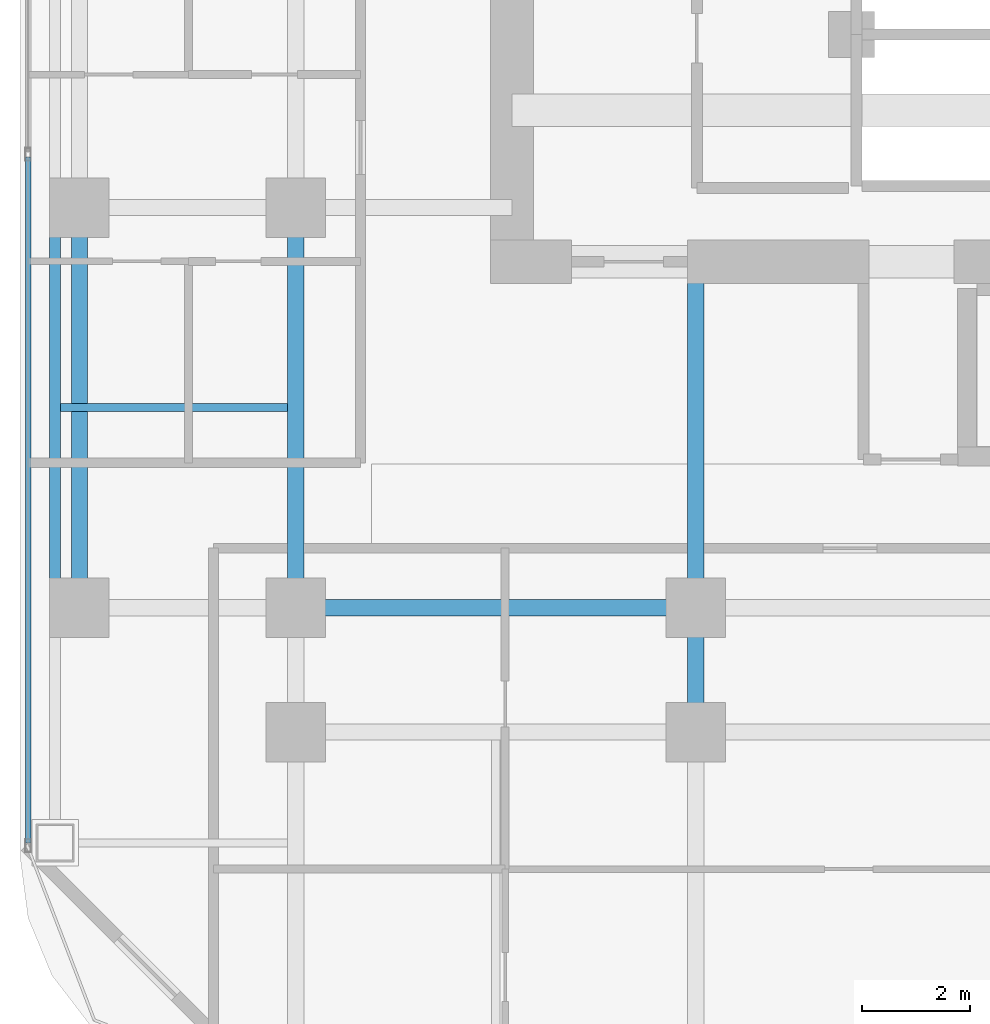
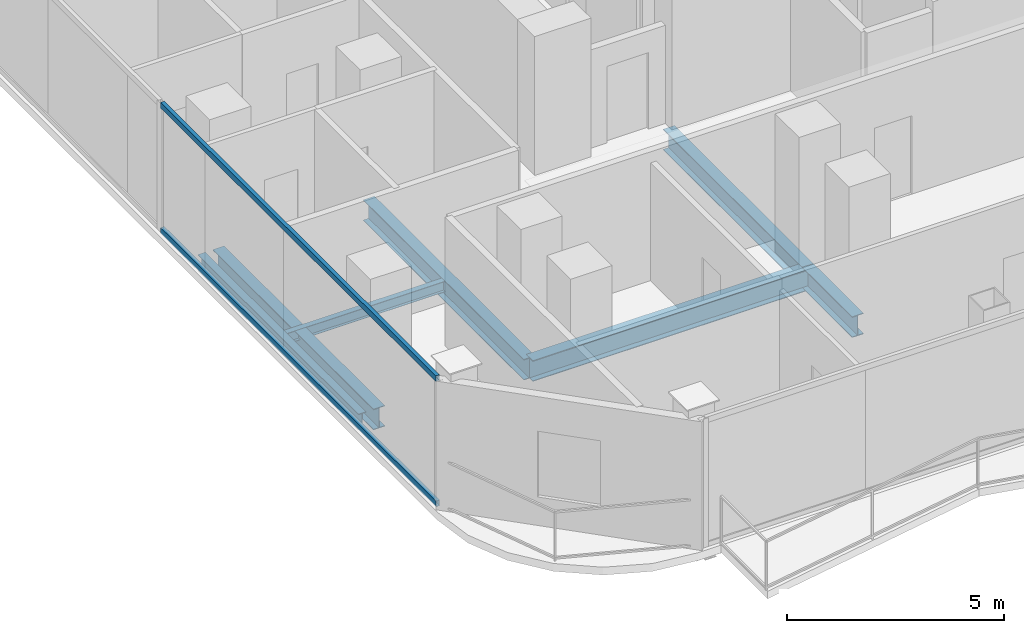
# One storey, part 3 of 27: 7 beams, 2 members, 1 element without a shape of its own.
"""IFC4 building model written with IfcOpenShell, lengths in metres."""

import ifcopenshell
import ifcopenshell.guid

model = None  # the IFC model being written
_history = None  # IfcOwnerHistory: only IFC2X3 demands one
_inside = {}  # id of a spatial element -> (the spatial element, [elements in it])
_under = {}  # id of a project, library or spatial element -> (it, [spatial elements below it])
_declared = {}  # id of a project -> (the project, [libraries it declares])
_typed = {}  # id of a type object -> (the type object, [elements of that type])
_made_of = {}  # id of a material, layer set ... -> (it, [elements and type objects made of it])


def new_model(schema):
    """Start an empty IFC model of exactly this schema.

    Asked for "IFC4X3", IfcOpenShell would pick the latest addendum, in which some entities
    have other attributes; the version numbers below select the first issue.
    IFC2X3 requires an IfcOwnerHistory on every rooted entity: one is made here for all.
    """
    global model, _history
    if schema == "IFC4X3":
        model = ifcopenshell.file(schema_version=(4, 3, 0, 0))
    else:
        model = ifcopenshell.file(schema=schema)
    _inside.clear()
    _under.clear()
    _declared.clear()
    _typed.clear()
    _made_of.clear()
    _history = None
    if model.schema == "IFC2X3":
        org = make("IfcOrganization", Name="unknown")
        user = make(
            "IfcPersonAndOrganization",
            ThePerson=make("IfcPerson", FamilyName="unknown"),
            TheOrganization=org,
        )
        app = make(
            "IfcApplication",
            ApplicationDeveloper=org,
            Version="unknown",
            ApplicationFullName="unknown",
            ApplicationIdentifier="unknown",
        )
        _history = make(
            "IfcOwnerHistory",
            OwningUser=user,
            OwningApplication=app,
            ChangeAction="ADDED",
            CreationDate=0,
        )
    return model


def make(cls, **values):
    """One entity of the class cls with the attributes given. An attribute that is None is left unset."""
    return model.create_entity(
        cls, **{name: value for name, value in values.items() if value is not None}
    )


def rooted(cls, **values):
    """An entity with a GlobalId (a new one), such as an element, a storey or a relation."""
    return make(cls, GlobalId=ifcopenshell.guid.new(), OwnerHistory=_history, **values)


def si_unit(unit_type, name, prefix=None):
    """IfcSIUnit, for example si_unit("LENGTHUNIT", "METRE", prefix="MILLI")."""
    return make("IfcSIUnit", UnitType=unit_type, Prefix=prefix, Name=name)


def assignment(units):
    """IfcUnitAssignment: the units of a project."""
    return None if units is None else make("IfcUnitAssignment", Units=units)


def point(xyz):
    """IfcCartesianPoint."""
    return None if xyz is None else make("IfcCartesianPoint", Coordinates=xyz)


def direction(xyz):
    """IfcDirection."""
    return None if xyz is None else make("IfcDirection", DirectionRatios=xyz)


def frame(location, z_axis=None, x_axis=None):
    """IfcAxis2Placement3D, a coordinate frame: its origin and axes. An axis left out is left unset."""
    return make(
        "IfcAxis2Placement3D",
        Location=point(location),
        Axis=direction(z_axis),
        RefDirection=direction(x_axis),
    )


def frame_2d(location, x_axis=None):
    """IfcAxis2Placement2D, a coordinate frame in the plane: its origin and x axis."""
    return make(
        "IfcAxis2Placement2D", Location=point(location), RefDirection=direction(x_axis)
    )


def origin():
    """The frame at (0, 0, 0) with its axes left unset."""
    return frame((0.0, 0.0, 0.0))


def origin_2d():
    """The frame at (0, 0) in the plane with its x axis left unset."""
    return frame_2d((0.0, 0.0))


def place(relative_to, where):
    """IfcLocalPlacement: puts the frame where relative to a parent placement (None: the world)."""
    return make(
        "IfcLocalPlacement", PlacementRelTo=relative_to, RelativePlacement=where
    )


def context(
    kind, dimensions, precision=None, world=None, true_north=None, identifier=None
):
    """IfcGeometricRepresentationContext, for example the 3D "Model" context."""
    return make(
        "IfcGeometricRepresentationContext",
        ContextIdentifier=identifier,
        ContextType=kind,
        CoordinateSpaceDimension=dimensions,
        Precision=precision,
        WorldCoordinateSystem=world,
        TrueNorth=true_north,
    )


def subcontext(parent, identifier, kind, view, scale=None):
    """IfcGeometricRepresentationSubContext, for example "Body" below "Model"."""
    return make(
        "IfcGeometricRepresentationSubContext",
        ContextIdentifier=identifier,
        ContextType=kind,
        ParentContext=parent,
        TargetScale=scale,
        TargetView=view,
    )


def project(units=None, contexts=None):
    """IfcProject with its units and contexts."""
    return rooted(
        "IfcProject",
        Name="project",
        RepresentationContexts=contexts,
        UnitsInContext=assignment(units),
    )


def spatial(cls, under=None, at=None, **own):
    """A site, building, storey or space (cls), placed at a placement, below another one or the project."""
    s = rooted(cls, ObjectPlacement=at, **own)
    if under is not None:
        _under.setdefault(under.id(), (under, []))[1].append(s)
    return s


def profile(cls, at=None, kind="AREA", **sizes):
    """A parametric profile (cls). Its sizes go by their IFC names, for example OverallWidth=200.0."""
    return make(cls, ProfileType=kind, Position=at, **sizes)


def hollow_rectangle(**sizes):
    """IfcRectangleHollowProfileDef."""
    return profile("IfcRectangleHollowProfileDef", **sizes)


def i_section(**sizes):
    """IfcIShapeProfileDef."""
    return profile("IfcIShapeProfileDef", **sizes)


def extrude(swept, where, along, depth):
    """IfcExtrudedAreaSolid: the profile swept, set in the frame where, extruded along a direction by depth."""
    return make(
        "IfcExtrudedAreaSolid",
        SweptArea=swept,
        Position=where,
        ExtrudedDirection=direction(along),
        Depth=depth,
    )


def shape(context_of_items, identifier, shape_type, items):
    """IfcShapeRepresentation: the items that make up one representation, for example the "Body"."""
    return make(
        "IfcShapeRepresentation",
        ContextOfItems=context_of_items,
        RepresentationIdentifier=identifier,
        RepresentationType=shape_type,
        Items=items,
    )


def material(Name=None, Category=None):
    """IfcMaterial."""
    return make("IfcMaterial", Name=Name, Category=Category)


def layer(
    of_material, thickness, ventilated=None, Name=None, Category=None, Priority=None
):
    """IfcMaterialLayer: one layer of a wall or slab, of a material (None: an air gap)."""
    return make(
        "IfcMaterialLayer",
        Material=of_material,
        LayerThickness=thickness,
        IsVentilated=ventilated,
        Name=Name,
        Category=Category,
        Priority=Priority,
    )


def layer_set(layers, Name=None):
    """IfcMaterialLayerSet."""
    return make("IfcMaterialLayerSet", MaterialLayers=layers, LayerSetName=Name)


def material_profile(
    of_material, cross_section, Name=None, Category=None, Priority=None
):
    """IfcMaterialProfile: a cross section and its material."""
    return make(
        "IfcMaterialProfile",
        Name=Name,
        Material=of_material,
        Profile=cross_section,
        Priority=Priority,
        Category=Category,
    )


def profile_set(profiles, Name=None, composite=None):
    """IfcMaterialProfileSet."""
    return make(
        "IfcMaterialProfileSet",
        Name=Name,
        MaterialProfiles=profiles,
        CompositeProfile=composite,
    )


def made_of(thing, what):
    """Note that an element or type object is made of a material, layer set ...; save() writes the relation."""
    if what is not None:
        _made_of.setdefault(what.id(), (what, []))[1].append(thing)
    return thing


def type_object(cls, material=None, **own):
    """A type object (cls), such as IfcWallType, which elements share."""
    return made_of(rooted(cls, **own), material)


def element(
    cls,
    number,
    at=None,
    inside=None,
    cuts=None,
    type_object=None,
    material=None,
    context=None,
    identifier="Body",
    shape_type=None,
    held_by="IfcProductDefinitionShape",
    body=None,
    shapes=None,
    **own,
):
    """One element of the class cls, such as IfcWall. Its Tag is "e" and its number.

    at: its placement. inside: the storey or other place that contains it. cuts: it is an
    opening in that element (IfcRelVoidsElement). A single representation is given by context,
    identifier, shape_type and body (its items); several are given by shapes. held_by: the class
    of the entity that holds the representations. save() writes the other relations.
    """
    e = rooted(cls, Tag="e%d" % number, ObjectPlacement=at, **own)
    if body is not None:
        shapes = [shape(context, identifier, shape_type, body)]
    if shapes is not None:
        e.Representation = make(held_by, Representations=shapes)
    if inside is not None:
        _inside.setdefault(inside.id(), (inside, []))[1].append(e)
    if cuts is not None:
        rooted(
            "IfcRelVoidsElement", RelatingBuildingElement=cuts, RelatedOpeningElement=e
        )
    if type_object is not None:
        _typed.setdefault(type_object.id(), (type_object, []))[1].append(e)
    return made_of(e, material)


def aggregate(whole, parts):
    """IfcRelAggregates: a whole, such as a stair, and the parts it consists of."""
    return rooted("IfcRelAggregates", RelatingObject=whole, RelatedObjects=parts)


def save(model, path):
    """Write the relations noted so far, then the file.

    IfcRelAggregates (storeys below a building ...), IfcRelContainedInSpatialStructure (elements
    in a storey), IfcRelDefinesByType, IfcRelAssociatesMaterial and IfcRelDeclares: one each for
    every whole, place, type object, material and project.
    """
    for whole, parts in _under.values():
        aggregate(whole, parts)
    for where, things in _inside.values():
        rooted(
            "IfcRelContainedInSpatialStructure",
            RelatedElements=things,
            RelatingStructure=where,
        )
    for kind, things in _typed.values():
        rooted("IfcRelDefinesByType", RelatedObjects=things, RelatingType=kind)
    for what, things in _made_of.values():
        rooted("IfcRelAssociatesMaterial", RelatedObjects=things, RelatingMaterial=what)
    for by, libraries in _declared.values():
        rooted("IfcRelDeclares", RelatingContext=by, RelatedDefinitions=libraries)
    model.write(path)


model = new_model("IFC4")

# Units and contexts
model_context = context("Model", 3, precision=1e-05, world=origin(), true_north=direction((0.0, 1.0)))
body_context = subcontext(model_context, "Body", "Model", "MODEL_VIEW")
ifc_project = project(units=[si_unit("LENGTHUNIT", "METRE"), si_unit("AREAUNIT", "SQUARE_METRE"), si_unit("VOLUMEUNIT", "CUBIC_METRE"), si_unit("PLANEANGLEUNIT", "RADIAN"), si_unit("MASSUNIT", "GRAM", prefix="KILO")], contexts=[model_context])

# Site, building, storey
site_placement = place(None, origin())
site = spatial("IfcSite", under=ifc_project, at=site_placement, CompositionType="ELEMENT")
building_placement = place(site_placement, origin())
building = spatial("IfcBuilding", under=site, at=building_placement, Name="Khorvyn Point Tower", CompositionType="ELEMENT")
storey_placement = place(building_placement, frame((0.0, 0.0, 164.10009765625)))
storey = spatial("IfcBuildingStorey", under=building, at=storey_placement, Name="L40", CompositionType="ELEMENT", Elevation=164.10009765625)

# Curtain wall, members
ifc_material_1 = material(Name="Anodised aluminium 6063-T6 and laminated Low-E glass", Category="aluminium")
ifc_layer = layer(ifc_material_1, 0.18994140625)
ifc_layer_set = layer_set([ifc_layer], Name="Stick-Built Acoustic Curtain Wall CW-SYS-03")
curtain_wall_type = type_object("IfcCurtainWallType", Name="Stick-Built Acoustic Curtain Wall CW-SYS-03", PredefinedType="NOTDEFINED", material=ifc_layer_set)
curtain_wall_placement = place(storey_placement, origin())
curtain_wall = element("IfcCurtainWall", 1, at=curtain_wall_placement, inside=storey, type_object=curtain_wall_type, Name="Curtain Wall", PredefinedType="NOTDEFINED")
ifc_material_2 = material(Name="Anodised aluminium 6063-T6", Category="aluminium")
ifc_material_profile_1 = material_profile(ifc_material_2, hollow_rectangle(XDim=0.10009765625, YDim=0.159912109375, WallThickness=0.00439453125, at=origin_2d()))
ifc_profile_set_1 = profile_set([ifc_material_profile_1], Name="Anodised aluminium 6063-T6 ALU-TRN-100x160")
member_type = type_object("IfcMemberType", Name="Anodised Aluminium 6063-T6 Transom ALU-TRN-100x160", PredefinedType="USERDEFINED", material=ifc_profile_set_1)
member_1_placement = place(storey_placement, frame((-19.75, -19.14990234375, 0.0498046875), z_axis=(0.0, 1.0, 0.0), x_axis=(-1.0, 0.0, 0.0)))
member_1 = element("IfcMember", 2, at=member_1_placement, type_object=member_type, Name="Transom", ObjectType="TRANSOM", PredefinedType="USERDEFINED", context=body_context, shape_type="SweptSolid", body=[
    extrude(hollow_rectangle(XDim=0.10009765625, YDim=0.159912109375, WallThickness=0.00439453125, at=origin_2d()), origin(), (0.0, 0.0, 1.0), 12.683349609375),
])
member_2_placement = place(storey_placement, frame((-19.75, -19.14990234375, 3.56982421875), z_axis=(0.0, 1.0, 0.0), x_axis=(-1.0, 0.0, 0.0)))
member_2 = element("IfcMember", 3, at=member_2_placement, type_object=member_type, Name="Transom", ObjectType="TRANSOM", PredefinedType="USERDEFINED", context=body_context, shape_type="SweptSolid", body=[
    extrude(hollow_rectangle(XDim=0.10009765625, YDim=0.159912109375, WallThickness=0.00439453125, at=origin_2d()), origin(), (0.0, 0.0, 1.0), 12.683349609375),
])
aggregate(curtain_wall, [member_1, member_2])

# Beams
ifc_material_3 = material(Name="Steel S355", Category="steel")
ifc_material_profile_2 = material_profile(ifc_material_3, i_section(OverallWidth=0.300048828125, OverallDepth=0.587890625, WebThickness=0.011962890625, FlangeThickness=0.02001953125, at=origin_2d()))
ifc_profile_set_2 = profile_set([ifc_material_profile_2], Name="Steel S355 H588x300x12x20")
beam_type_1 = type_object("IfcBeamType", Name="Steel S355 Beam H588x300x12x20", PredefinedType="BEAM", material=ifc_profile_set_2)
for number, where, z_axis, x_axis, name in (
    (4, (-14.800048828125, -14.800048828125, -0.51416015625), (1.0, 0.0, 0.0), (0.0, 1.0, 0.0), "Beam"),
    (5, (-14.800048828125, -14.800048828125, -0.51416015625), (0.0, 1.0, 0.0), (-1.0, 0.0, 0.0), "Beam"),
):
    element("IfcBeam", number, at=place(storey_placement, frame(where, z_axis=z_axis, x_axis=x_axis)), inside=storey, type_object=beam_type_1, Name=name, PredefinedType="BEAM", context=body_context, shape_type="SweptSolid", body=[
        extrude(i_section(OverallWidth=0.300048828125, OverallDepth=0.587890625, WebThickness=0.011962890625, FlangeThickness=0.02001953125, at=origin_2d()), origin(), (0.0, 0.0, 1.0), 7.400146484375),
    ])
beam_1_placement = place(storey_placement, frame((-7.39990234375, -17.10009765625, -0.51416015625), z_axis=(0.0, 1.0, 0.0), x_axis=(-1.0, 0.0, 0.0)))
element("IfcBeam", 6, at=beam_1_placement, inside=storey, type_object=beam_type_1, Name="Beam", PredefinedType="BEAM", context=body_context, shape_type="SweptSolid", body=[
    extrude(i_section(OverallWidth=0.300048828125, OverallDepth=0.587890625, WebThickness=0.011962890625, FlangeThickness=0.02001953125, at=origin_2d()), origin(), (0.0, 0.0, 1.0), 2.300048828125),
])
beam_2_placement = place(storey_placement, frame((-7.39990234375, -14.800048828125, -0.51416015625), z_axis=(0.0, 1.0, 0.0), x_axis=(-1.0, 0.0, 0.0)))
element("IfcBeam", 7, at=beam_2_placement, inside=storey, type_object=beam_type_1, Name="Beam", PredefinedType="BEAM", context=body_context, shape_type="SweptSolid", body=[
    extrude(i_section(OverallWidth=0.300048828125, OverallDepth=0.587890625, WebThickness=0.011962890625, FlangeThickness=0.02001953125, at=origin_2d()), origin(), (0.0, 0.0, 1.0), 6.400146484375),
])
beam_3_placement = place(storey_placement, frame((-18.800048828125, -14.800048828125, -0.51416015625), z_axis=(0.0, 1.0, 0.0), x_axis=(-1.0, 0.0, 0.0)))
element("IfcBeam", 8, at=beam_3_placement, inside=storey, type_object=beam_type_1, Name="Beam", PredefinedType="BEAM", context=body_context, shape_type="SweptSolid", body=[
    extrude(i_section(OverallWidth=0.300048828125, OverallDepth=0.587890625, WebThickness=0.011962890625, FlangeThickness=0.02001953125, at=origin_2d()), origin(), (0.0, 0.0, 1.0), 7.400146484375),
])
ifc_material_profile_3 = material_profile(ifc_material_3, i_section(OverallWidth=0.14990234375, OverallDepth=0.300048828125, WebThickness=0.006591796875, FlangeThickness=0.009033203125, at=origin_2d()))
ifc_profile_set_3 = profile_set([ifc_material_profile_3], Name="Steel S355 H300x150x6.5x9")
beam_type_2 = type_object("IfcBeamType", Name="Steel S355 Joist H300x150x6.5x9", PredefinedType="JOIST", material=ifc_profile_set_3)
beam_4_placement = place(storey_placement, frame((-19.14990234375, -11.10009765625, -0.3701171875), z_axis=(1.0, 0.0, 0.0), x_axis=(0.0, 1.0, 0.0)))
element("IfcBeam", 9, at=beam_4_placement, inside=storey, type_object=beam_type_2, Name="Beam", PredefinedType="JOIST", context=body_context, shape_type="SweptSolid", body=[
    extrude(i_section(OverallWidth=0.14990234375, OverallDepth=0.300048828125, WebThickness=0.006591796875, FlangeThickness=0.009033203125, at=origin_2d()), origin(), (0.0, 0.0, 1.0), 4.199951171875),
])
ifc_material_profile_4 = material_profile(ifc_material_3, i_section(OverallWidth=0.199951171875, OverallDepth=0.449951171875, WebThickness=0.009033203125, FlangeThickness=0.013916015625, at=origin_2d()))
ifc_profile_set_4 = profile_set([ifc_material_profile_4], Name="Steel S355 H450x200x9x14")
beam_type_3 = type_object("IfcBeamType", Name="Steel S355 Spandrel H450x200x9x14", PredefinedType="SPANDREL", material=ifc_profile_set_4)
beam_5_placement = place(storey_placement, frame((-19.25, -14.800048828125, -0.445068359375), z_axis=(0.0, 1.0, 0.0), x_axis=(-1.0, 0.0, 0.0)))
element("IfcBeam", 10, at=beam_5_placement, inside=storey, type_object=beam_type_3, Name="Beam", PredefinedType="SPANDREL", context=body_context, shape_type="SweptSolid", body=[
    extrude(i_section(OverallWidth=0.199951171875, OverallDepth=0.449951171875, WebThickness=0.009033203125, FlangeThickness=0.013916015625, at=origin_2d()), origin(), (0.0, 0.0, 1.0), 7.400146484375),
])

save(model, "model.ifc")
